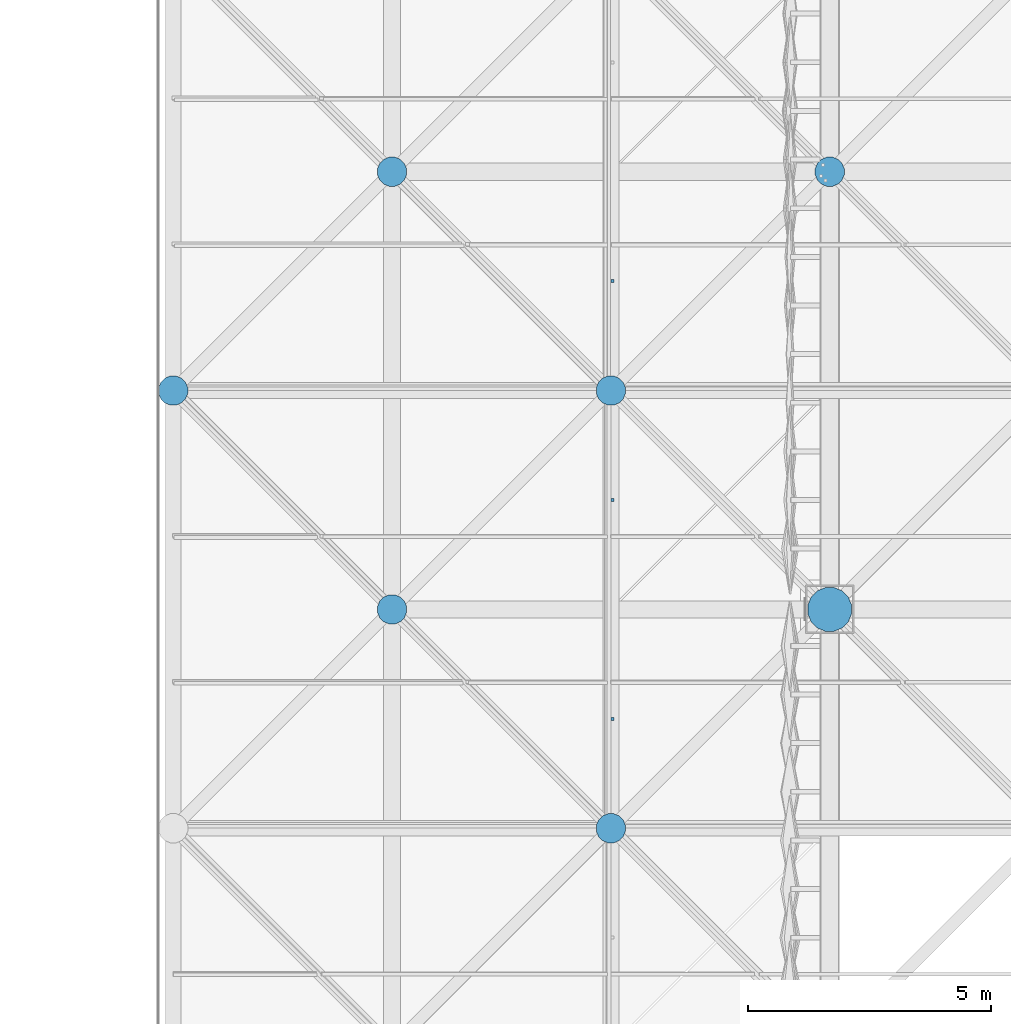
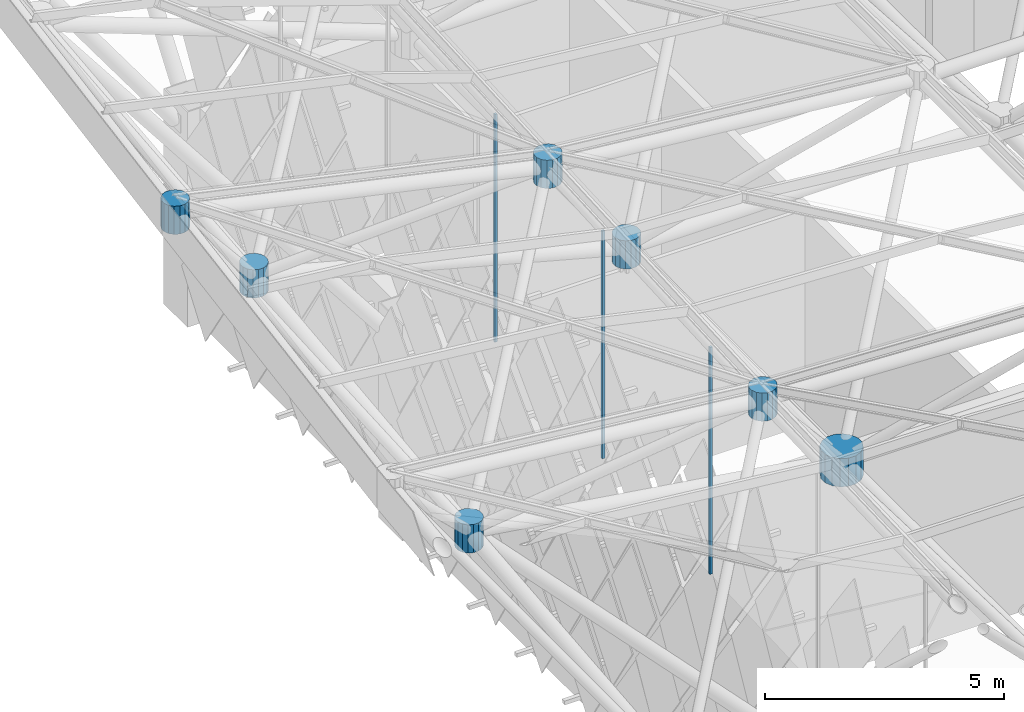
# One storey, part 295 of 437: 10 discrete accessories.
"""IFC4 building model written with IfcOpenShell, lengths in metres."""

from ifc_helpers import new_model, si_unit, direction, frame, origin, place, context, subcontext, project, spatial, polyline, outline, extrude, material, type_object, element, save


model = new_model("IFC4")

# Units and contexts
model_context = context("Model", 3, precision=1e-05, world=origin(), true_north=direction((0.0, 1.0)))
body_context = subcontext(model_context, "Body", "Model", "MODEL_VIEW")
ifc_project = project(units=[si_unit("LENGTHUNIT", "METRE"), si_unit("AREAUNIT", "SQUARE_METRE"), si_unit("VOLUMEUNIT", "CUBIC_METRE"), si_unit("PLANEANGLEUNIT", "RADIAN"), si_unit("MASSUNIT", "GRAM", prefix="KILO")], contexts=[model_context])

# Site, building, storey
site_placement = place(None, origin())
site = spatial("IfcSite", under=ifc_project, at=site_placement, CompositionType="ELEMENT")
building_placement = place(site_placement, origin())
building = spatial("IfcBuilding", under=site, at=building_placement, Name="Opaline Strait Convention Centre", CompositionType="ELEMENT")
storey_placement = place(building_placement, frame((0.0, 0.0, 11.5)))
storey = spatial("IfcBuildingStorey", under=building, at=storey_placement, Name="L02", CompositionType="ELEMENT", Elevation=11.5)

# Discrete accessories
ifc_material_1 = material(Name="Steel Q355B", Category="steel")
discrete_accessory_type_1 = type_object("IfcDiscreteAccessoryType", Name="Soffit hanger 60x60 steel", PredefinedType="BRACKET", material=ifc_material_1)
discrete_accessory_1_placement = place(storey_placement, frame((0.0, 0.0, 12.537109375)))
element("IfcDiscreteAccessory", 1, at=discrete_accessory_1_placement, inside=storey, type_object=discrete_accessory_type_1, Name="Soffit hanger", PredefinedType="BRACKET", context=body_context, shape_type="SweptSolid", body=[
    extrude(outline(polyline([(94.5048828125, 123.719970703125), (94.56494140625, 123.719970703125), (94.56494140625, 123.780029296875), (94.5048828125, 123.780029296875), (94.5048828125, 123.719970703125)])), origin(), (0.0, 0.0, 1.0), 5.795654296875),
])
discrete_accessory_2_placement = place(storey_placement, frame((0.0, 0.0, 12.7626953125)))
element("IfcDiscreteAccessory", 2, at=discrete_accessory_2_placement, inside=storey, type_object=discrete_accessory_type_1, Name="Soffit hanger", PredefinedType="BRACKET", context=body_context, shape_type="SweptSolid", body=[
    extrude(outline(polyline([(94.5048828125, 128.219970703125), (94.56494140625, 128.219970703125), (94.56494140625, 128.280029296875), (94.5048828125, 128.280029296875), (94.5048828125, 128.219970703125)])), origin(), (0.0, 0.0, 1.0), 5.814208984375),
])
discrete_accessory_3_placement = place(storey_placement, frame((0.0, 0.0, 13.0087890625)))
element("IfcDiscreteAccessory", 3, at=discrete_accessory_3_placement, inside=storey, type_object=discrete_accessory_type_1, Name="Soffit hanger", PredefinedType="BRACKET", context=body_context, shape_type="SweptSolid", body=[
    extrude(outline(polyline([(94.5048828125, 132.719970703125), (94.56494140625, 132.719970703125), (94.56494140625, 132.780029296875), (94.5048828125, 132.780029296875), (94.5048828125, 132.719970703125)])), origin(), (0.0, 0.0, 1.0), 5.81787109375),
])
ifc_material_2 = material(Name="Cast steel ZG300-500H (300 MPa)", Category="steel")
discrete_accessory_type_2 = type_object("IfcDiscreteAccessoryType", Name="Space frame bearing node hub D900", PredefinedType="USERDEFINED", material=ifc_material_2)
discrete_accessory_4_placement = place(storey_placement, frame((0.0, 0.0, 12.139892578125)))
element("IfcDiscreteAccessory", 4, at=discrete_accessory_4_placement, inside=storey, type_object=discrete_accessory_type_2, Name="Bottom node 2/10", ObjectType="NODE HUB", PredefinedType="USERDEFINED", context=body_context, shape_type="SweptSolid", body=[
    extrude(outline(polyline([(99.449951171875, 126.089599609375), (99.381591796875, 126.2548828125), (99.2548828125, 126.381591796875), (99.089599609375, 126.449951171875), (98.910400390625, 126.449951171875), (98.7451171875, 126.381591796875), (98.618408203125, 126.2548828125), (98.550048828125, 126.089599609375), (98.550048828125, 125.910400390625), (98.618408203125, 125.7451171875), (98.7451171875, 125.618408203125), (98.910400390625, 125.550048828125), (99.089599609375, 125.550048828125), (99.2548828125, 125.618408203125), (99.381591796875, 125.7451171875), (99.449951171875, 125.910400390625), (99.449951171875, 126.089599609375)])), origin(), (0.0, 0.0, 1.0), 0.72021484375),
])
discrete_accessory_type_3 = type_object("IfcDiscreteAccessoryType", Name="Space frame node hub D600", PredefinedType="USERDEFINED", material=ifc_material_2)
discrete_accessory_5_placement = place(storey_placement, frame((0.0, 0.0, 20.478759765625)))
element("IfcDiscreteAccessory", 5, at=discrete_accessory_5_placement, inside=storey, type_object=discrete_accessory_type_3, Name="Top node 1/11", ObjectType="NODE HUB", PredefinedType="USERDEFINED", context=body_context, shape_type="SweptSolid", body=[
    extrude(outline(polyline([(85.800048828125, 130.559814453125), (85.75439453125, 130.669921875), (85.669921875, 130.75439453125), (85.559814453125, 130.800048828125), (85.440185546875, 130.800048828125), (85.330078125, 130.75439453125), (85.24560546875, 130.669921875), (85.199951171875, 130.559814453125), (85.199951171875, 130.440185546875), (85.24560546875, 130.330078125), (85.330078125, 130.24560546875), (85.440185546875, 130.199951171875), (85.559814453125, 130.199951171875), (85.669921875, 130.24560546875), (85.75439453125, 130.330078125), (85.800048828125, 130.440185546875), (85.800048828125, 130.559814453125)])), origin(), (0.0, 0.0, 1.0), 0.719970703125),
])
discrete_accessory_6_placement = place(storey_placement, frame((0.0, 0.0, 18.013427734375)))
element("IfcDiscreteAccessory", 6, at=discrete_accessory_6_placement, inside=storey, type_object=discrete_accessory_type_3, Name="Top node 2/10", ObjectType="NODE HUB", PredefinedType="USERDEFINED", context=body_context, shape_type="SweptSolid", body=[
    extrude(outline(polyline([(94.800048828125, 121.559814453125), (94.75439453125, 121.669921875), (94.669921875, 121.75439453125), (94.559814453125, 121.800048828125), (94.440185546875, 121.800048828125), (94.330078125, 121.75439453125), (94.24560546875, 121.669921875), (94.199951171875, 121.559814453125), (94.199951171875, 121.440185546875), (94.24560546875, 121.330078125), (94.330078125, 121.24560546875), (94.440185546875, 121.199951171875), (94.559814453125, 121.199951171875), (94.669921875, 121.24560546875), (94.75439453125, 121.330078125), (94.800048828125, 121.440185546875), (94.800048828125, 121.559814453125)])), origin(), (0.0, 0.0, 1.0), 0.719970703125),
])
discrete_accessory_7_placement = place(storey_placement, frame((0.0, 0.0, 18.501220703125)))
element("IfcDiscreteAccessory", 7, at=discrete_accessory_7_placement, inside=storey, type_object=discrete_accessory_type_3, Name="Top node 2/11", ObjectType="NODE HUB", PredefinedType="USERDEFINED", context=body_context, shape_type="SweptSolid", body=[
    extrude(outline(polyline([(94.800048828125, 130.559814453125), (94.75439453125, 130.669921875), (94.669921875, 130.75439453125), (94.559814453125, 130.800048828125), (94.440185546875, 130.800048828125), (94.330078125, 130.75439453125), (94.24560546875, 130.669921875), (94.199951171875, 130.559814453125), (94.199951171875, 130.440185546875), (94.24560546875, 130.330078125), (94.330078125, 130.24560546875), (94.440185546875, 130.199951171875), (94.559814453125, 130.199951171875), (94.669921875, 130.24560546875), (94.75439453125, 130.330078125), (94.800048828125, 130.440185546875), (94.800048828125, 130.559814453125)])), origin(), (0.0, 0.0, 1.0), 0.719970703125),
])
discrete_accessory_8_placement = place(storey_placement, frame((0.0, 0.0, 13.49462890625)))
element("IfcDiscreteAccessory", 8, at=discrete_accessory_8_placement, inside=storey, type_object=discrete_accessory_type_3, Name="Bottom node 1/10", ObjectType="NODE HUB", PredefinedType="USERDEFINED", context=body_context, shape_type="SweptSolid", body=[
    extrude(outline(polyline([(90.300048828125, 126.059814453125), (90.25439453125, 126.169921875), (90.169921875, 126.25439453125), (90.059814453125, 126.300048828125), (89.940185546875, 126.300048828125), (89.830078125, 126.25439453125), (89.74560546875, 126.169921875), (89.699951171875, 126.059814453125), (89.699951171875, 125.940185546875), (89.74560546875, 125.830078125), (89.830078125, 125.74560546875), (89.940185546875, 125.699951171875), (90.059814453125, 125.699951171875), (90.169921875, 125.74560546875), (90.25439453125, 125.830078125), (90.300048828125, 125.940185546875), (90.300048828125, 126.059814453125)])), origin(), (0.0, 0.0, 1.0), 0.719970703125),
])
discrete_accessory_9_placement = place(storey_placement, frame((0.0, 0.0, 14.55078125)))
element("IfcDiscreteAccessory", 9, at=discrete_accessory_9_placement, inside=storey, type_object=discrete_accessory_type_3, Name="Bottom node 1/11", ObjectType="NODE HUB", PredefinedType="USERDEFINED", context=body_context, shape_type="SweptSolid", body=[
    extrude(outline(polyline([(90.300048828125, 135.059814453125), (90.25439453125, 135.169921875), (90.169921875, 135.25439453125), (90.059814453125, 135.300048828125), (89.940185546875, 135.300048828125), (89.830078125, 135.25439453125), (89.74560546875, 135.169921875), (89.699951171875, 135.059814453125), (89.699951171875, 134.940185546875), (89.74560546875, 134.830078125), (89.830078125, 134.74560546875), (89.940185546875, 134.699951171875), (90.059814453125, 134.699951171875), (90.169921875, 134.74560546875), (90.25439453125, 134.830078125), (90.300048828125, 134.940185546875), (90.300048828125, 135.059814453125)])), origin(), (0.0, 0.0, 1.0), 0.719970703125),
])
discrete_accessory_10_placement = place(storey_placement, frame((0.0, 0.0, 12.139892578125)))
element("IfcDiscreteAccessory", 10, at=discrete_accessory_10_placement, inside=storey, type_object=discrete_accessory_type_3, Name="Bottom node 2/11", ObjectType="NODE HUB", PredefinedType="USERDEFINED", context=body_context, shape_type="SweptSolid", body=[
    extrude(outline(polyline([(99.300048828125, 135.059814453125), (99.25439453125, 135.169921875), (99.169921875, 135.25439453125), (99.059814453125, 135.300048828125), (98.940185546875, 135.300048828125), (98.830078125, 135.25439453125), (98.74560546875, 135.169921875), (98.699951171875, 135.059814453125), (98.699951171875, 134.940185546875), (98.74560546875, 134.830078125), (98.830078125, 134.74560546875), (98.940185546875, 134.699951171875), (99.059814453125, 134.699951171875), (99.169921875, 134.74560546875), (99.25439453125, 134.830078125), (99.300048828125, 134.940185546875), (99.300048828125, 135.059814453125)])), origin(), (0.0, 0.0, 1.0), 0.72021484375),
])

save(model, "model.ifc")
